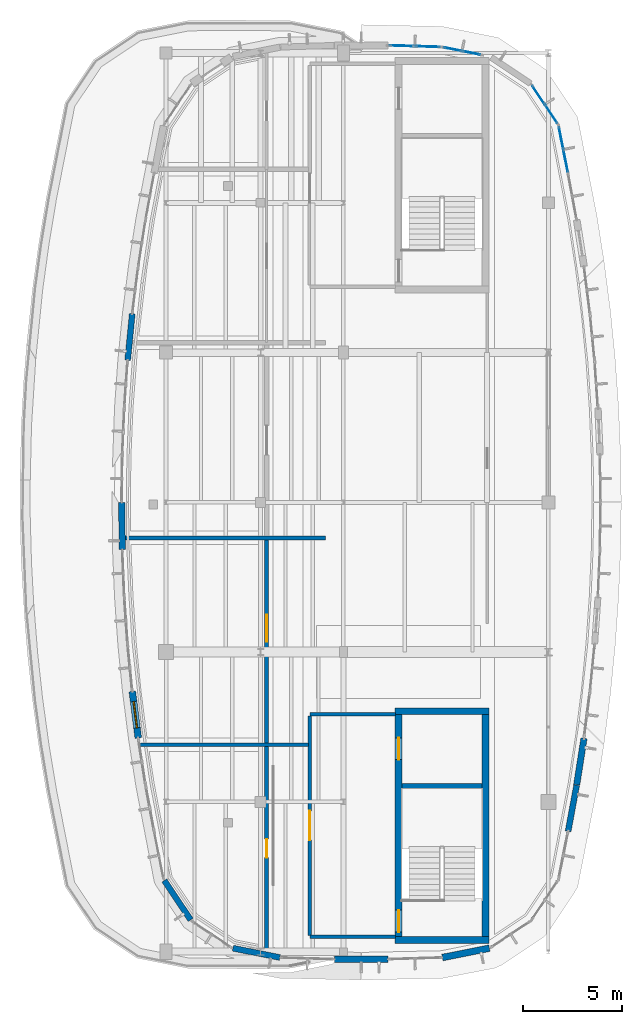
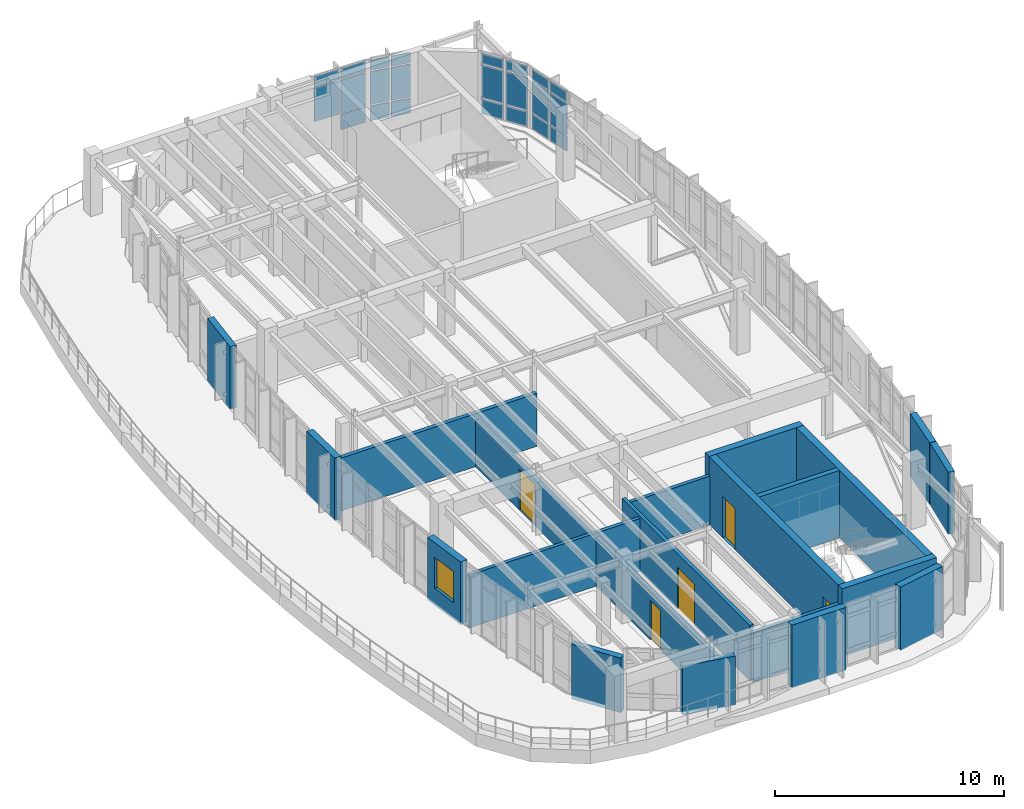
# One storey, part 15 of 20: 23 plates, 21 walls, 5 doors, 1 window, 6 openings, 4 elements without a shape of their own.
"""IFC4 building model written with IfcOpenShell, lengths in metres."""

from ifc_helpers import new_model, si_unit, direction, frame, frame_2d, origin, origin_2d, place, context, subcontext, project, spatial, rectangle, extrude, material, layer, layer_set, type_object, element, fill, aggregate, save


model = new_model("IFC4")

# Units and contexts
model_context = context("Model", 3, precision=1e-05, world=origin(), true_north=direction((0.0, 1.0)))
body_context = subcontext(model_context, "Body", "Model", "MODEL_VIEW")
ifc_project = project(units=[si_unit("LENGTHUNIT", "METRE"), si_unit("AREAUNIT", "SQUARE_METRE"), si_unit("VOLUMEUNIT", "CUBIC_METRE"), si_unit("PLANEANGLEUNIT", "RADIAN"), si_unit("MASSUNIT", "GRAM", prefix="KILO")], contexts=[model_context])

# Site, building, storey
site_placement = place(None, origin())
site = spatial("IfcSite", under=ifc_project, at=site_placement, CompositionType="ELEMENT")
building_placement = place(site_placement, origin())
building = spatial("IfcBuilding", under=site, at=building_placement, Name="Corveleigh Park Community Centre", CompositionType="ELEMENT")
storey_placement = place(building_placement, frame((0.0, 0.0, 16.199951171875)))
storey = spatial("IfcBuildingStorey", under=building, at=storey_placement, Name="L04", CompositionType="ELEMENT", Elevation=16.199951171875)

# Curtain wall, plates
ifc_material_1 = material(Name="Anodised aluminium 6063-T6", Category="aluminium")
curtain_wall_type = type_object("IfcCurtainWallType", Name="CW-SYS-V4-L03", PredefinedType="NOTDEFINED", material=ifc_material_1)
curtain_wall_1_placement = place(storey_placement, origin())
curtain_wall_1 = element("IfcCurtainWall", 1, at=curtain_wall_1_placement, inside=storey, type_object=curtain_wall_type, Name="V4 L04 Curtain Wall 453", PredefinedType="NOTDEFINED")
ifc_material_2 = material(Name="Low-E double glazing", Category="glass")
ifc_layer_1 = layer(ifc_material_2, 0.0400390625, Name="Low-E double glazing", Category="glass")
ifc_layer_set_1 = layer_set([ifc_layer_1], Name="Low-E double glazing")
plate_type_1 = type_object("IfcPlateType", Name="CWP-GLZ-40", PredefinedType="CURTAIN_PANEL", material=ifc_layer_set_1)
plate_1_placement = place(storey_placement, frame((169.044677734375, 99.888427734375, 0.070068359375), z_axis=(0.0, 0.0, 1.0), x_axis=(0.195093525756, -0.980784643134, 0.0)))
plate_1 = element("IfcPlate", 2, at=plate_1_placement, type_object=plate_type_1, Name="CW09 panel 1.1", PredefinedType="CURTAIN_PANEL", context=body_context, shape_type="SweptSolid", body=[
    extrude(rectangle(XDim=1.117431640625, YDim=0.0400390625, at=origin_2d()), origin(), (0.0, 0.0, 1.0), 0.794921875),
])
plate_2_placement = place(storey_placement, frame((169.044677734375, 99.888427734375, 0.93505859375), z_axis=(0.0, 0.0, 1.0), x_axis=(0.195093525756, -0.980784643134, 0.0)))
plate_2 = element("IfcPlate", 3, at=plate_2_placement, type_object=plate_type_1, Name="CW09 panel 1.2", PredefinedType="CURTAIN_PANEL", context=body_context, shape_type="SweptSolid", body=[
    extrude(rectangle(XDim=1.117431640625, YDim=0.0400390625, at=origin_2d()), origin(), (0.0, 0.0, 1.0), 1.69189453125),
])
plate_3_placement = place(storey_placement, frame((169.044677734375, 99.888427734375, 2.697021484375), z_axis=(0.0, 0.0, 1.0), x_axis=(0.195093525756, -0.980784643134, 0.0)))
plate_3 = element("IfcPlate", 4, at=plate_3_placement, type_object=plate_type_1, Name="CW09 panel 1.3", PredefinedType="CURTAIN_PANEL", context=body_context, shape_type="SweptSolid", body=[
    extrude(rectangle(XDim=1.117431640625, YDim=0.0400390625, at=origin_2d()), origin(), (0.0, 0.0, 1.0), 0.544921875),
])
plate_4_placement = place(storey_placement, frame((169.2763671875, 98.7236328125, 0.070068359375), z_axis=(0.0, 0.0, 1.0), x_axis=(0.195093525756, -0.980784643134, 0.0)))
plate_4 = element("IfcPlate", 5, at=plate_4_placement, type_object=plate_type_1, Name="CW09 panel 2.1", PredefinedType="CURTAIN_PANEL", context=body_context, shape_type="SweptSolid", body=[
    extrude(rectangle(XDim=1.117431640625, YDim=0.0400390625, at=origin_2d()), origin(), (0.0, 0.0, 1.0), 0.794921875),
])
plate_5_placement = place(storey_placement, frame((169.2763671875, 98.7236328125, 0.93505859375), z_axis=(0.0, 0.0, 1.0), x_axis=(0.195093525756, -0.980784643134, 0.0)))
plate_5 = element("IfcPlate", 6, at=plate_5_placement, type_object=plate_type_1, Name="CW09 panel 2.2", PredefinedType="CURTAIN_PANEL", context=body_context, shape_type="SweptSolid", body=[
    extrude(rectangle(XDim=1.117431640625, YDim=0.0400390625, at=origin_2d()), origin(), (0.0, 0.0, 1.0), 1.69189453125),
])
plate_6_placement = place(storey_placement, frame((169.2763671875, 98.7236328125, 2.697021484375), z_axis=(0.0, 0.0, 1.0), x_axis=(0.195093525756, -0.980784643134, 0.0)))
plate_6 = element("IfcPlate", 7, at=plate_6_placement, type_object=plate_type_1, Name="CW09 panel 2.3", PredefinedType="CURTAIN_PANEL", context=body_context, shape_type="SweptSolid", body=[
    extrude(rectangle(XDim=1.117431640625, YDim=0.0400390625, at=origin_2d()), origin(), (0.0, 0.0, 1.0), 0.544921875),
])
aggregate(curtain_wall_1, [plate_1, plate_2, plate_3, plate_4, plate_5, plate_6])

curtain_wall_2_placement = place(storey_placement, origin())
curtain_wall_2 = element("IfcCurtainWall", 8, at=curtain_wall_2_placement, inside=storey, type_object=curtain_wall_type, Name="V4 L04 Curtain Wall 454", PredefinedType="NOTDEFINED")
plate_7_placement = place(storey_placement, frame((167.89501953125, 102.072021484375, 0.074951171875), z_axis=(0.0, 0.0, 1.0), x_axis=(0.555658190101, -0.83141083453, 0.0)))
plate_7 = element("IfcPlate", 9, at=plate_7_placement, type_object=plate_type_1, Name="CW09 panel 1.1", PredefinedType="CURTAIN_PANEL", context=body_context, shape_type="SweptSolid", body=[
    extrude(rectangle(XDim=1.091552734375, YDim=0.0400390625, at=origin_2d()), origin(), (0.0, 0.0, 1.0), 0.78759765625),
])
plate_8_placement = place(storey_placement, frame((167.89501953125, 102.072021484375, 0.9375), z_axis=(0.0, 0.0, 1.0), x_axis=(0.555658190101, -0.83141083453, 0.0)))
plate_8 = element("IfcPlate", 10, at=plate_8_placement, type_object=plate_type_1, Name="CW09 panel 1.2", PredefinedType="CURTAIN_PANEL", context=body_context, shape_type="SweptSolid", body=[
    extrude(rectangle(XDim=1.091552734375, YDim=0.0400390625, at=origin_2d()), origin(), (0.0, 0.0, 1.0), 1.7470703125),
])
plate_9_placement = place(storey_placement, frame((167.89501953125, 102.072021484375, 2.759521484375), z_axis=(0.0, 0.0, 1.0), x_axis=(0.555658190101, -0.83141083453, 0.0)))
plate_9 = element("IfcPlate", 11, at=plate_9_placement, type_object=plate_type_1, Name="CW09 panel 1.3", PredefinedType="CURTAIN_PANEL", context=body_context, shape_type="SweptSolid", body=[
    extrude(rectangle(XDim=1.091552734375, YDim=0.0400390625, at=origin_2d()), origin(), (0.0, 0.0, 1.0), 0.53759765625),
])
plate_10_placement = place(storey_placement, frame((168.54296875, 101.10205078125, 0.074951171875), z_axis=(0.0, 0.0, 1.0), x_axis=(0.555658190101, -0.83141083453, 0.0)))
plate_10 = element("IfcPlate", 12, at=plate_10_placement, type_object=plate_type_1, Name="CW09 panel 2.1", PredefinedType="CURTAIN_PANEL", context=body_context, shape_type="SweptSolid", body=[
    extrude(rectangle(XDim=1.091552734375, YDim=0.0400390625, at=origin_2d()), origin(), (0.0, 0.0, 1.0), 0.78759765625),
])
plate_11_placement = place(storey_placement, frame((168.54296875, 101.10205078125, 0.9375), z_axis=(0.0, 0.0, 1.0), x_axis=(0.555658190101, -0.83141083453, 0.0)))
plate_11 = element("IfcPlate", 13, at=plate_11_placement, type_object=plate_type_1, Name="CW09 panel 2.2", PredefinedType="CURTAIN_PANEL", context=body_context, shape_type="SweptSolid", body=[
    extrude(rectangle(XDim=1.091552734375, YDim=0.0400390625, at=origin_2d()), origin(), (0.0, 0.0, 1.0), 1.7470703125),
])
plate_12_placement = place(storey_placement, frame((168.54296875, 101.10205078125, 2.759521484375), z_axis=(0.0, 0.0, 1.0), x_axis=(0.555658190101, -0.83141083453, 0.0)))
plate_12 = element("IfcPlate", 14, at=plate_12_placement, type_object=plate_type_1, Name="CW09 panel 2.3", PredefinedType="CURTAIN_PANEL", context=body_context, shape_type="SweptSolid", body=[
    extrude(rectangle(XDim=1.091552734375, YDim=0.0400390625, at=origin_2d()), origin(), (0.0, 0.0, 1.0), 0.53759765625),
])
aggregate(curtain_wall_2, [plate_7, plate_8, plate_9, plate_10, plate_11, plate_12])

curtain_wall_3_placement = place(storey_placement, origin())
curtain_wall_3 = element("IfcCurtainWall", 15, at=curtain_wall_3_placement, inside=storey, type_object=curtain_wall_type, Name="V4 L04 Curtain Wall 455", PredefinedType="NOTDEFINED")
ifc_layer_2 = layer(ifc_material_2, 0.0439453125, Name="Low-E double glazing", Category="glass")
ifc_layer_set_2 = layer_set([ifc_layer_2], Name="Low-E double glazing")
plate_type_2 = type_object("IfcPlateType", Name="CWP-GLZ-44", PredefinedType="CURTAIN_PANEL", material=ifc_layer_set_2)
plate_13_placement = place(storey_placement, frame((163.5400390625, 104.39306640625, 0.080078125), z_axis=(0.0, 0.0, 1.0), x_axis=(0.980769775006, -0.195168256727, 0.0)))
plate_13 = element("IfcPlate", 16, at=plate_13_placement, type_object=plate_type_2, Name="CW09 panel 1.1", PredefinedType="CURTAIN_PANEL", context=body_context, shape_type="SweptSolid", body=[
    extrude(rectangle(XDim=0.89453125, YDim=0.0439453125, at=origin_2d()), origin(), (0.0, 0.0, 1.0), 0.780029296875),
])
plate_14_placement = place(storey_placement, frame((163.5400390625, 104.39306640625, 0.93994140625), z_axis=(0.0, 0.0, 1.0), x_axis=(0.980769775006, -0.195168256727, 0.0)))
plate_14 = element("IfcPlate", 17, at=plate_14_placement, type_object=plate_type_2, Name="CW09 panel 1.2", PredefinedType="CURTAIN_PANEL", context=body_context, shape_type="SweptSolid", body=[
    extrude(rectangle(XDim=0.89453125, YDim=0.0439453125, at=origin_2d()), origin(), (0.0, 0.0, 1.0), 1.741943359375),
])
plate_15_placement = place(storey_placement, frame((163.5400390625, 104.39306640625, 2.76220703125), z_axis=(0.0, 0.0, 1.0), x_axis=(0.980769775006, -0.195168256727, 0.0)))
plate_15 = element("IfcPlate", 18, at=plate_15_placement, type_object=plate_type_2, Name="CW09 panel 1.3", PredefinedType="CURTAIN_PANEL", context=body_context, shape_type="SweptSolid", body=[
    extrude(rectangle(XDim=0.89453125, YDim=0.0439453125, at=origin_2d()), origin(), (0.0, 0.0, 1.0), 0.530029296875),
])
plate_16_placement = place(storey_placement, frame((164.495849609375, 104.202880859375, 0.080078125), z_axis=(0.0, 0.0, 1.0), x_axis=(0.980769775006, -0.195168256727, 0.0)))
plate_16 = element("IfcPlate", 19, at=plate_16_placement, type_object=plate_type_2, Name="CW09 panel 2.1", PredefinedType="CURTAIN_PANEL", context=body_context, shape_type="SweptSolid", body=[
    extrude(rectangle(XDim=0.89453125, YDim=0.0439453125, at=origin_2d()), origin(), (0.0, 0.0, 1.0), 0.780029296875),
])
plate_17_placement = place(storey_placement, frame((164.495849609375, 104.202880859375, 0.93994140625), z_axis=(0.0, 0.0, 1.0), x_axis=(0.980769775006, -0.195168256727, 0.0)))
plate_17 = element("IfcPlate", 20, at=plate_17_placement, type_object=plate_type_2, Name="CW09 panel 2.2", PredefinedType="CURTAIN_PANEL", context=body_context, shape_type="SweptSolid", body=[
    extrude(rectangle(XDim=0.89453125, YDim=0.0439453125, at=origin_2d()), origin(), (0.0, 0.0, 1.0), 1.741943359375),
])
plate_18_placement = place(storey_placement, frame((164.495849609375, 104.202880859375, 2.76220703125), z_axis=(0.0, 0.0, 1.0), x_axis=(0.980769775006, -0.195168256727, 0.0)))
plate_18 = element("IfcPlate", 21, at=plate_18_placement, type_object=plate_type_2, Name="CW09 panel 2.3", PredefinedType="CURTAIN_PANEL", context=body_context, shape_type="SweptSolid", body=[
    extrude(rectangle(XDim=0.89453125, YDim=0.0439453125, at=origin_2d()), origin(), (0.0, 0.0, 1.0), 0.530029296875),
])
aggregate(curtain_wall_3, [plate_13, plate_14, plate_15, plate_16, plate_17, plate_18])

curtain_wall_4_placement = place(storey_placement, origin())
curtain_wall_4 = element("IfcCurtainWall", 22, at=curtain_wall_4_placement, inside=storey, type_object=curtain_wall_type, Name="V4 L04 Curtain Wall 456", PredefinedType="NOTDEFINED")
plate_19_placement = place(storey_placement, frame((160.972412109375, 104.56396484375, 0.93017578125), z_axis=(0.0, 0.0, 1.0), x_axis=(0.99950519252, -0.031454254481, 0.0)))
plate_19 = element("IfcPlate", 23, at=plate_19_placement, type_object=plate_type_2, Name="CW09 panel 1.2", PredefinedType="CURTAIN_PANEL", context=body_context, shape_type="SweptSolid", body=[
    extrude(rectangle(XDim=1.2236328125, YDim=0.0439453125, at=origin_2d()), origin(), (0.0, 0.0, 1.0), 1.761962890625),
])
plate_20_placement = place(storey_placement, frame((160.972412109375, 104.56396484375, 2.751953125), z_axis=(0.0, 0.0, 1.0), x_axis=(0.99950519252, -0.031454254481, 0.0)))
plate_20 = element("IfcPlate", 24, at=plate_20_placement, type_object=plate_type_2, Name="CW09 panel 1.3", PredefinedType="CURTAIN_PANEL", context=body_context, shape_type="SweptSolid", body=[
    extrude(rectangle(XDim=1.2236328125, YDim=0.0439453125, at=origin_2d()), origin(), (0.0, 0.0, 1.0), 0.56005859375),
])
plate_21_placement = place(storey_placement, frame((162.280517578125, 104.52294921875, 0.06005859375), z_axis=(0.0, 0.0, 1.0), x_axis=(0.99950519252, -0.031454254481, 0.0)))
plate_21 = element("IfcPlate", 25, at=plate_21_placement, type_object=plate_type_2, Name="CW09 panel 2.1", PredefinedType="CURTAIN_PANEL", context=body_context, shape_type="SweptSolid", body=[
    extrude(rectangle(XDim=1.2236328125, YDim=0.0439453125, at=origin_2d()), origin(), (0.0, 0.0, 1.0), 0.81005859375),
])
plate_22_placement = place(storey_placement, frame((162.280517578125, 104.52294921875, 0.93017578125), z_axis=(0.0, 0.0, 1.0), x_axis=(0.99950519252, -0.031454254481, 0.0)))
plate_22 = element("IfcPlate", 26, at=plate_22_placement, type_object=plate_type_2, Name="CW09 panel 2.2", PredefinedType="CURTAIN_PANEL", context=body_context, shape_type="SweptSolid", body=[
    extrude(rectangle(XDim=1.2236328125, YDim=0.0439453125, at=origin_2d()), origin(), (0.0, 0.0, 1.0), 1.761962890625),
])
plate_23_placement = place(storey_placement, frame((162.280517578125, 104.52294921875, 2.751953125), z_axis=(0.0, 0.0, 1.0), x_axis=(0.99950519252, -0.031454254481, 0.0)))
plate_23 = element("IfcPlate", 27, at=plate_23_placement, type_object=plate_type_2, Name="CW09 panel 2.3", PredefinedType="CURTAIN_PANEL", context=body_context, shape_type="SweptSolid", body=[
    extrude(rectangle(XDim=1.2236328125, YDim=0.0439453125, at=origin_2d()), origin(), (0.0, 0.0, 1.0), 0.56005859375),
])
aggregate(curtain_wall_4, [plate_19, plate_20, plate_21, plate_22, plate_23])

# Walls
ifc_material_3 = material(Name="Precast concrete C40/50", Category="concrete")
ifc_layer_3 = layer(ifc_material_3, 0.300048828125, Name="Precast concrete C40/50", Category="concrete")
ifc_layer_set_3 = layer_set([ifc_layer_3], Name="Precast concrete C40/50")
wall_type_1 = type_object("IfcWallType", Name="WL-EXT-300", PredefinedType="STANDARD", material=ifc_layer_set_3)
wall_1_placement = place(storey_placement, frame((169.8349609375, 67.052001953125, 0.0), z_axis=(0.0, 0.0, 1.0), x_axis=(-0.182019607911, -0.983294901002, 0.0)))
element("IfcWall", 28, at=wall_1_placement, inside=storey, type_object=wall_type_1, Name="V4 L04 Precast Facade Wall", PredefinedType="STANDARD", context=body_context, shape_type="SweptSolid", body=[
    extrude(rectangle(XDim=2.384765625, YDim=0.300048828125, at=frame_2d((1.1923828125, 0.0))), origin(), (0.0, 0.0, 1.0), 3.31201171875),
])
wall_2_placement = place(storey_placement, frame((147.052978515625, 88.60400390625, 0.0), z_axis=(0.0, 0.0, 1.0), x_axis=(0.098225856093, 0.995164147864, 0.0)))
element("IfcWall", 29, at=wall_2_placement, inside=storey, type_object=wall_type_1, Name="V4 L04 Precast Facade Wall", PredefinedType="STANDARD", context=body_context, shape_type="SweptSolid", body=[
    extrude(rectangle(XDim=2.383544921875, YDim=0.300048828125, at=frame_2d((1.19189453125, 0.0))), origin(), (0.0, 0.0, 1.0), 3.337158203125),
])
wall_3_placement = place(storey_placement, frame((150.25, 60.2119140625, 0.0), z_axis=(0.0, 0.0, 1.0), x_axis=(-0.555588946657, 0.831457107945, 0.0)))
element("IfcWall", 30, at=wall_3_placement, inside=storey, type_object=wall_type_1, Name="V4 L04 Precast Facade Wall", PredefinedType="STANDARD", context=body_context, shape_type="SweptSolid", body=[
    extrude(rectangle(XDim=2.407958984375, YDim=0.300048828125, at=frame_2d((1.2041015625, 0.0))), origin(), (0.0, 0.0, 1.0), 2.916015625),
])
wall_4_placement = place(storey_placement, frame((154.777099609375, 58.303955078125, 0.0), z_axis=(0.0, 0.0, 1.0), x_axis=(-0.980761961866, 0.195207515624, 0.0)))
element("IfcWall", 31, at=wall_4_placement, inside=storey, type_object=wall_type_1, Name="V4 L04 Precast Facade Wall", PredefinedType="STANDARD", context=body_context, shape_type="SweptSolid", body=[
    extrude(rectangle(XDim=2.4287109375, YDim=0.300048828125, at=frame_2d((1.21435546875, 0.0))), origin(), (0.0, 0.0, 1.0), 2.60498046875),
])
ifc_layer_4 = layer(ifc_material_3, 0.320068359375, Name="Precast concrete C40/50", Category="concrete")
ifc_layer_set_4 = layer_set([ifc_layer_4], Name="Precast concrete C40/50")
wall_type_2 = type_object("IfcWallType", Name="WL-EXT-320", PredefinedType="STANDARD", material=ifc_layer_set_4)
wall_5_placement = place(storey_placement, frame((170.20703125, 69.424072265625, 0.0), z_axis=(0.0, 0.0, 1.0), x_axis=(-0.154920709756, -0.987926907058, 0.0)))
element("IfcWall", 32, at=wall_5_placement, inside=storey, type_object=wall_type_2, Name="V4 L04 Precast Facade Wall", PredefinedType="STANDARD", context=body_context, shape_type="SweptSolid", body=[
    extrude(rectangle(XDim=2.3828125, YDim=0.320068359375, at=frame_2d((1.19140625, 0.0))), origin(), (0.0, 0.0, 1.0), 3.31201171875),
])
wall_6_placement = place(storey_placement, frame((146.781005859375, 79.008056640625, 0.0), z_axis=(0.0, 0.0, 1.0), x_axis=(-0.014238900565, 0.999898621717, 0.0)))
element("IfcWall", 33, at=wall_6_placement, inside=storey, type_object=wall_type_2, Name="V4 L04 Precast Facade Wall", PredefinedType="STANDARD", context=body_context, shape_type="SweptSolid", body=[
    extrude(rectangle(XDim=2.38330078125, YDim=0.320068359375, at=frame_2d((1.191650390625, 0.0))), origin(), (0.0, 0.0, 1.0), 3.337158203125),
])
ifc_layer_5 = layer(ifc_material_3, 0.340087890625, Name="Precast concrete C40/50", Category="concrete")
ifc_layer_set_5 = layer_set([ifc_layer_5], Name="Precast concrete C40/50")
wall_type_3 = type_object("IfcWallType", Name="WL-EXT-340", PredefinedType="STANDARD", material=ifc_layer_set_5)
wall_7_placement = place(storey_placement, frame((160.258056640625, 58.214111328125, 0.0), z_axis=(0.0, 0.0, 1.0), x_axis=(-1.0, 0.0, 0.0)))
element("IfcWall", 34, at=wall_7_placement, inside=storey, type_object=wall_type_3, Name="V4 L04 Precast Facade Wall", PredefinedType="STANDARD", context=body_context, shape_type="SweptSolid", body=[
    extrude(rectangle(XDim=2.716064453125, YDim=0.340087890625, at=frame_2d((1.35791015625, 0.0))), origin(), (0.0, 0.0, 1.0), 3.337158203125),
])
wall_8_placement = place(storey_placement, frame((165.405029296875, 58.778076171875, 0.0), z_axis=(0.0, 0.0, 1.0), x_axis=(-0.980761961866, -0.195207515624, 0.0)))
element("IfcWall", 35, at=wall_8_placement, inside=storey, type_object=wall_type_3, Name="V4 L04 Precast Facade Wall", PredefinedType="STANDARD", context=body_context, shape_type="SweptSolid", body=[
    extrude(rectangle(XDim=2.4287109375, YDim=0.340087890625, at=frame_2d((1.21435546875, 0.0))), origin(), (0.0, 0.0, 1.0), 3.3720703125),
])

# Wall, opening, window
wall_9_placement = place(storey_placement, frame((147.591064453125, 69.44189453125, 0.0), z_axis=(0.0, 0.0, 1.0), x_axis=(-0.126719816895, 0.991938550519, 0.0)))
wall_9 = element("IfcWall", 36, at=wall_9_placement, inside=storey, type_object=wall_type_3, Name="V4 L04 Precast Facade Wall", PredefinedType="STANDARD", context=body_context, shape_type="SweptSolid", body=[
    extrude(rectangle(XDim=2.38330078125, YDim=0.340087890625, at=frame_2d((1.191650390625, 0.0))), origin(), (0.0, 0.0, 1.0), 3.337158203125),
])
opening_1_placement = place(wall_9_placement, frame((0.51611328125, 0.0, 0.89990234375)))
opening_1 = element("IfcOpeningElement", 37, at=opening_1_placement, cuts=wall_9, Name="Opening W08", PredefinedType="OPENING", context=body_context, shape_type="SweptSolid", body=[
    extrude(rectangle(XDim=1.35009765625, YDim=1.64990234375, at=frame_2d((0.675048828125, 0.824951171875))), frame((0.0, 0.179931640625, 0.0), z_axis=(0.0, -1.0, 0.0), x_axis=(1.0, 0.0, 0.0)), (0.0, 0.0, 1.0), 0.360107421875),
])
window_type = type_object("IfcWindowType", Name="WIN-EXT-1350x1650", PartitioningType="SINGLE_PANEL", PredefinedType="WINDOW", material=ifc_material_2)
window_placement = place(opening_1_placement, origin())
window = element("IfcWindow", 38, at=window_placement, inside=storey, type_object=window_type, Name="V4 L04 Window 80", OverallHeight=1.64990234375, OverallWidth=1.35009765625, PartitioningType="SINGLE_PANEL", PredefinedType="WINDOW", context=body_context, shape_type="SweptSolid", body=[
    extrude(rectangle(XDim=1.35009765625, YDim=1.64990234375, at=frame_2d((0.675048828125, 0.824951171875))), frame((0.0, 0.030029296875, 0.0), z_axis=(0.0, -1.0, 0.0), x_axis=(1.0, 0.0, 0.0)), (0.0, 0.0, 1.0), 0.06005859375),
])
fill(opening_1, window)

# Walls
ifc_material_4 = material(Name="Gypsum acoustic stud partition", Category="gypsum")
ifc_layer_6 = layer(ifc_material_4, 0.179931640625, Name="Gypsum acoustic stud partition", Category="gypsum")
ifc_layer_set_6 = layer_set([ifc_layer_6], Name="Gypsum acoustic stud partition")
wall_type_4 = type_object("IfcWallType", Name="WL-PRT-180", PredefinedType="PARTITIONING", material=ifc_layer_set_6)
wall_10_placement = place(storey_placement, frame((156.300048828125, 59.35009765625, 0.0), z_axis=(0.0, 0.0, 1.0), x_axis=(1.0, 0.0, 0.0)))
element("IfcWall", 39, at=wall_10_placement, inside=storey, type_object=wall_type_4, Name="CORE1 lobby south wall", PredefinedType="PARTITIONING", context=body_context, shape_type="SweptSolid", body=[
    extrude(rectangle(XDim=4.33984375, YDim=0.179931640625, at=frame_2d((2.169921875, 0.0))), origin(), (0.0, 0.0, 1.0), 2.636962890625),
])
wall_11_placement = place(storey_placement, frame((160.639892578125, 70.64990234375, 0.0), z_axis=(0.0, 0.0, 1.0), x_axis=(-1.0, 0.0, 0.0)))
element("IfcWall", 40, at=wall_11_placement, inside=storey, type_object=wall_type_4, Name="CORE1 lobby north wall", PredefinedType="PARTITIONING", context=body_context, shape_type="SweptSolid", body=[
    extrude(rectangle(XDim=4.33984375, YDim=0.179931640625, at=frame_2d((2.169921875, 0.0))), origin(), (0.0, 0.0, 1.0), 2.59814453125),
])

# Wall, opening, door
wall_12_placement = place(storey_placement, frame((156.300048828125, 70.570068359375, 0.0), z_axis=(0.0, 0.0, 1.0), x_axis=(0.0, -1.0, 0.0)))
wall_12 = element("IfcWall", 41, at=wall_12_placement, inside=storey, type_object=wall_type_4, Name="CORE1 lobby corridor wall", PredefinedType="PARTITIONING", context=body_context, shape_type="SweptSolid", body=[
    extrude(rectangle(XDim=11.14013671875, YDim=0.179931640625, at=frame_2d((5.570068359375, 0.0))), origin(), (0.0, 0.0, 1.0), 2.950927734375),
])
opening_2_placement = place(wall_12_placement, frame((4.830078125, 0.0, 0.0)))
opening_2 = element("IfcOpeningElement", 42, at=opening_2_placement, cuts=wall_12, Name="Opening FD01", PredefinedType="OPENING", context=body_context, shape_type="SweptSolid", body=[
    extrude(rectangle(XDim=1.47998046875, YDim=2.219970703125, at=frame_2d((0.739990234375, 1.10986328125))), frame((0.0, 0.099853515625, 0.0), z_axis=(0.0, -1.0, 0.0), x_axis=(1.0, 0.0, 0.0)), (0.0, 0.0, 1.0), 0.199951171875),
])
ifc_material_5 = material(Name="Hardwood acoustic door leaf", Category="wood")
door_type_1 = type_object("IfcDoorType", Name="DR-FIR-1480x2220", OperationType="DOUBLE_DOOR_SINGLE_SWING", PredefinedType="DOOR", material=ifc_material_5)
door_1_placement = place(opening_2_placement, origin())
door_1 = element("IfcDoor", 43, at=door_1_placement, inside=storey, type_object=door_type_1, Name="Lobby CORE1 corridor door L04", OperationType="DOUBLE_DOOR_SINGLE_SWING", OverallHeight=2.219970703125, OverallWidth=1.47998046875, PredefinedType="DOOR", context=body_context, shape_type="SweptSolid", body=[
    extrude(rectangle(XDim=1.47998046875, YDim=2.219970703125, at=frame_2d((0.739990234375, 1.10986328125))), frame((0.0, 0.02490234375, 0.0), z_axis=(0.0, -1.0, 0.0), x_axis=(1.0, 0.0, 0.0)), (0.0, 0.0, 1.0), 0.050048828125),
])
fill(opening_2, door_1)

# Wall
wall_13_placement = place(storey_placement, frame((147.64404296875, 69.10009765625, 0.0), z_axis=(0.0, 0.0, 1.0), x_axis=(1.0, 0.0, 0.0)))
element("IfcWall", 44, at=wall_13_placement, inside=storey, type_object=wall_type_4, Name="STEM Coding Classroom 4 partition", PredefinedType="PARTITIONING", context=body_context, shape_type="SweptSolid", body=[
    extrude(rectangle(XDim=8.577880859375, YDim=0.179931640625, at=frame_2d((4.2890625, 0.0))), origin(), (0.0, 0.0, 1.0), 2.822998046875),
])

# Wall, opening, door
ifc_material_6 = material(Name="Masonry blockwork 7.3 MPa", Category="masonry")
ifc_layer_7 = layer(ifc_material_6, 0.195068359375, Name="Masonry blockwork 7.3 MPa", Category="masonry")
ifc_layer_set_7 = layer_set([ifc_layer_7], Name="Masonry blockwork 7.3 MPa")
wall_type_5 = type_object("IfcWallType", Name="WL-PRT-195", PredefinedType="PARTITIONING", material=ifc_layer_set_7)
wall_14_placement = place(storey_placement, frame((154.10009765625, 69.10009765625, 0.0), z_axis=(0.0, 0.0, 1.0), x_axis=(0.0, -1.0, 0.0)))
wall_14 = element("IfcWall", 45, at=wall_14_placement, inside=storey, type_object=wall_type_5, Name="STEM Coding Classroom 4 corridor wall", PredefinedType="PARTITIONING", context=body_context, shape_type="SweptSolid", body=[
    extrude(rectangle(XDim=10.52099609375, YDim=0.195068359375, at=frame_2d((5.260498046875, 0.0))), origin(), (0.0, 0.0, 1.0), 2.60498046875),
])
opening_3_placement = place(wall_14_placement, frame((4.7900390625, 0.0, 0.0)))
opening_3 = element("IfcOpeningElement", 46, at=opening_3_placement, cuts=wall_14, Name="Opening FD09", PredefinedType="OPENING", context=body_context, shape_type="SweptSolid", body=[
    extrude(rectangle(XDim=0.93994140625, YDim=2.10009765625, at=frame_2d((0.469970703125, 1.050048828125))), frame((0.0, 0.107421875, 0.0), z_axis=(0.0, -1.0, 0.0), x_axis=(1.0, 0.0, 0.0)), (0.0, 0.0, 1.0), 0.215087890625),
])
door_type_2 = type_object("IfcDoorType", Name="DR-FIR-0940x2100", OperationType="NOTDEFINED", PredefinedType="DOOR", material=ifc_material_5)
door_2_placement = place(opening_3_placement, origin())
door_2 = element("IfcDoor", 47, at=door_2_placement, inside=storey, type_object=door_type_2, Name="STEM Coding Classroom 4 door", OperationType="SINGLE_SWING_RIGHT", OverallHeight=2.10009765625, OverallWidth=0.93994140625, PredefinedType="DOOR", context=body_context, shape_type="SweptSolid", body=[
    extrude(rectangle(XDim=0.93994140625, YDim=2.10009765625, at=frame_2d((0.469970703125, 1.050048828125))), frame((0.0, 0.02490234375, 0.0), z_axis=(0.0, -1.0, 0.0), x_axis=(1.0, 0.0, 0.0)), (0.0, 0.0, 1.0), 0.050048828125),
])
fill(opening_3, door_2)

# Wall
wall_15_placement = place(storey_placement, frame((146.9208984375, 79.60009765625, 0.0), z_axis=(0.0, 0.0, 1.0), x_axis=(1.0, 0.0, 0.0)))
element("IfcWall", 48, at=wall_15_placement, inside=storey, type_object=wall_type_5, Name="Language Classroom 5 partition", PredefinedType="PARTITIONING", context=body_context, shape_type="SweptSolid", body=[
    extrude(rectangle(XDim=10.17919921875, YDim=0.195068359375, at=frame_2d((5.089599609375, 0.0))), origin(), (0.0, 0.0, 1.0), 2.821044921875),
])

# Wall, opening, door
ifc_layer_8 = layer(ifc_material_6, 0.215087890625, Name="Masonry blockwork 7.3 MPa", Category="masonry")
ifc_layer_set_8 = layer_set([ifc_layer_8], Name="Masonry blockwork 7.3 MPa")
wall_type_6 = type_object("IfcWallType", Name="WL-PRT-215", PredefinedType="PARTITIONING", material=ifc_layer_set_8)
wall_16_placement = place(storey_placement, frame((154.10009765625, 79.60009765625, 0.0), z_axis=(0.0, 0.0, 1.0), x_axis=(0.0, -1.0, 0.0)))
wall_16 = element("IfcWall", 49, at=wall_16_placement, inside=storey, type_object=wall_type_6, Name="Language Classroom 5 corridor wall", PredefinedType="PARTITIONING", context=body_context, shape_type="SweptSolid", body=[
    extrude(rectangle(XDim=10.5, YDim=0.215087890625, at=frame_2d((5.25, 0.0))), origin(), (0.0, 0.0, 1.0), 2.4599609375),
])
opening_4_placement = place(wall_16_placement, frame((3.89990234375, 0.0, 0.0)))
opening_4 = element("IfcOpeningElement", 50, at=opening_4_placement, cuts=wall_16, Name="Opening FD02", PredefinedType="OPENING", context=body_context, shape_type="SweptSolid", body=[
    extrude(rectangle(XDim=1.3798828125, YDim=2.199951171875, at=frame_2d((0.68994140625, 1.10009765625))), frame((0.0, 0.117431640625, 0.0), z_axis=(0.0, -1.0, 0.0), x_axis=(1.0, 0.0, 0.0)), (0.0, 0.0, 1.0), 0.235107421875),
])
door_type_3 = type_object("IfcDoorType", Name="DR-FIR-1380x2200", OperationType="DOUBLE_DOOR_SINGLE_SWING", PredefinedType="DOOR", material=ifc_material_5)
door_3_placement = place(opening_4_placement, origin())
door_3 = element("IfcDoor", 51, at=door_3_placement, inside=storey, type_object=door_type_3, Name="Language Classroom 5 door", OperationType="DOUBLE_DOOR_SINGLE_SWING", OverallHeight=2.199951171875, OverallWidth=1.3798828125, PredefinedType="DOOR", context=body_context, shape_type="SweptSolid", body=[
    extrude(rectangle(XDim=1.3798828125, YDim=2.199951171875, at=frame_2d((0.68994140625, 1.10009765625))), frame((0.0, 0.02490234375, 0.0), z_axis=(0.0, -1.0, 0.0), x_axis=(1.0, 0.0, 0.0)), (0.0, 0.0, 1.0), 0.050048828125),
])
fill(opening_4, door_3)

# Walls
ifc_material_7 = material(Name="Concrete C40/50", Category="concrete")
ifc_layer_9 = layer(ifc_material_7, 0.25, Name="Concrete C40/50", Category="concrete")
ifc_layer_set_9 = layer_set([ifc_layer_9], Name="Concrete C40/50")
wall_type_7 = type_object("IfcWallType", Name="WL-SHR-250", PredefinedType="SHEAR", material=ifc_layer_set_9)
wall_17_placement = place(storey_placement, frame((160.97509765625, 67.0, 0.0), z_axis=(0.0, 0.0, 1.0), x_axis=(1.0, 0.0, 0.0)))
element("IfcWall", 52, at=wall_17_placement, inside=storey, type_object=wall_type_7, Name="CORE1 shaft wall", PredefinedType="SHEAR", context=body_context, shape_type="SweptSolid", body=[
    extrude(rectangle(XDim=4.0498046875, YDim=0.25, at=frame_2d((2.02490234375, 0.0))), origin(), (0.0, 0.0, 1.0), 3.60009765625),
])
ifc_layer_10 = layer(ifc_material_7, 0.35009765625, Name="Concrete C40/50", Category="concrete")
ifc_layer_set_10 = layer_set([ifc_layer_10], Name="Concrete C40/50")
wall_type_8 = type_object("IfcWallType", Name="WL-SHR-350", PredefinedType="SHEAR", material=ifc_layer_set_10)
wall_18_placement = place(storey_placement, frame((160.625, 59.199951171875, 0.0), z_axis=(0.0, 0.0, 1.0), x_axis=(1.0, 0.0, 0.0)))
element("IfcWall", 53, at=wall_18_placement, inside=storey, type_object=wall_type_8, Name="CORE1 south shear wall", PredefinedType="SHEAR", context=body_context, shape_type="SweptSolid", body=[
    extrude(rectangle(XDim=4.75, YDim=0.35009765625, at=frame_2d((2.375, 0.0))), origin(), (0.0, 0.0, 1.0), 3.60009765625),
])
wall_19_placement = place(storey_placement, frame((165.199951171875, 59.375, 0.0), z_axis=(0.0, 0.0, 1.0), x_axis=(0.0, 1.0, 0.0)))
element("IfcWall", 54, at=wall_19_placement, inside=storey, type_object=wall_type_8, Name="CORE1 east shear wall", PredefinedType="SHEAR", context=body_context, shape_type="SweptSolid", body=[
    extrude(rectangle(XDim=11.25, YDim=0.35009765625, at=frame_2d((5.625, 0.0))), origin(), (0.0, 0.0, 1.0), 3.60009765625),
])
wall_20_placement = place(storey_placement, frame((165.375, 70.800048828125, 0.0), z_axis=(0.0, 0.0, 1.0), x_axis=(-1.0, 0.0, 0.0)))
element("IfcWall", 55, at=wall_20_placement, inside=storey, type_object=wall_type_8, Name="CORE1 north shear wall", PredefinedType="SHEAR", context=body_context, shape_type="SweptSolid", body=[
    extrude(rectangle(XDim=4.75, YDim=0.35009765625, at=frame_2d((2.375, 0.0))), origin(), (0.0, 0.0, 1.0), 3.60009765625),
])

# Wall, openings, doors
wall_21_placement = place(storey_placement, frame((160.800048828125, 70.625, 0.0), z_axis=(0.0, 0.0, 1.0), x_axis=(0.0, -1.0, 0.0)))
wall_21 = element("IfcWall", 56, at=wall_21_placement, inside=storey, type_object=wall_type_8, Name="CORE1 west lobby wall", PredefinedType="SHEAR", context=body_context, shape_type="SweptSolid", body=[
    extrude(rectangle(XDim=11.25, YDim=0.35009765625, at=frame_2d((5.625, 0.0))), origin(), (0.0, 0.0, 1.0), 3.60009765625),
])
opening_5_placement = place(wall_21_placement, frame((1.175048828125, 0.0, 0.0)))
opening_5 = element("IfcOpeningElement", 57, at=opening_5_placement, cuts=wall_21, Name="Opening LD01", PredefinedType="OPENING", context=body_context, shape_type="SweptSolid", body=[
    extrude(rectangle(XDim=1.10009765625, YDim=2.199951171875, at=frame_2d((0.550048828125, 1.10009765625))), frame((0.0, 0.18505859375, 0.0), z_axis=(0.0, -1.0, 0.0), x_axis=(1.0, 0.0, 0.0)), (0.0, 0.0, 1.0), 0.3701171875),
])
opening_6_placement = place(wall_21_placement, frame((9.9150390625, 0.0, 0.0)))
opening_6 = element("IfcOpeningElement", 58, at=opening_6_placement, cuts=wall_21, Name="Opening FD03", PredefinedType="OPENING", context=body_context, shape_type="SweptSolid", body=[
    extrude(rectangle(XDim=1.1201171875, YDim=2.159912109375, at=frame_2d((0.56005859375, 1.080078125))), frame((0.0, 0.18505859375, 0.0), z_axis=(0.0, -1.0, 0.0), x_axis=(1.0, 0.0, 0.0)), (0.0, 0.0, 1.0), 0.3701171875),
])
door_type_4 = type_object("IfcDoorType", Name="DR-FIR-1120x2160", OperationType="NOTDEFINED", PredefinedType="DOOR", material=ifc_material_5)
door_4_placement = place(opening_6_placement, origin())
door_4 = element("IfcDoor", 59, at=door_4_placement, inside=storey, type_object=door_type_4, Name="Stair ST1 fire door L04", OperationType="SINGLE_SWING_RIGHT", OverallHeight=2.159912109375, OverallWidth=1.1201171875, PredefinedType="DOOR", context=body_context, shape_type="SweptSolid", body=[
    extrude(rectangle(XDim=1.1201171875, YDim=2.159912109375, at=frame_2d((0.56005859375, 1.080078125))), frame((0.0, 0.02490234375, 0.0), z_axis=(0.0, -1.0, 0.0), x_axis=(1.0, 0.0, 0.0)), (0.0, 0.0, 1.0), 0.050048828125),
])
fill(opening_6, door_4)
ifc_material_8 = material(Name="Brushed stainless steel lift car", Category="steel")
door_type_5 = type_object("IfcDoorType", Name="DR-LFT-1100x2200", OperationType="DOUBLE_DOOR_SLIDING", PredefinedType="DOOR", material=ifc_material_8)
door_5_placement = place(opening_5_placement, origin())
door_5 = element("IfcDoor", 60, at=door_5_placement, inside=storey, type_object=door_type_5, Name="Lift FL1 landing door L04", OperationType="DOUBLE_DOOR_SLIDING", OverallHeight=2.199951171875, OverallWidth=1.10009765625, PredefinedType="DOOR", context=body_context, shape_type="SweptSolid", body=[
    extrude(rectangle(XDim=1.10009765625, YDim=2.199951171875, at=frame_2d((0.550048828125, 1.10009765625))), frame((0.0, 0.02490234375, 0.0), z_axis=(0.0, -1.0, 0.0), x_axis=(1.0, 0.0, 0.0)), (0.0, 0.0, 1.0), 0.050048828125),
])
fill(opening_5, door_5)

save(model, "model.ifc")
